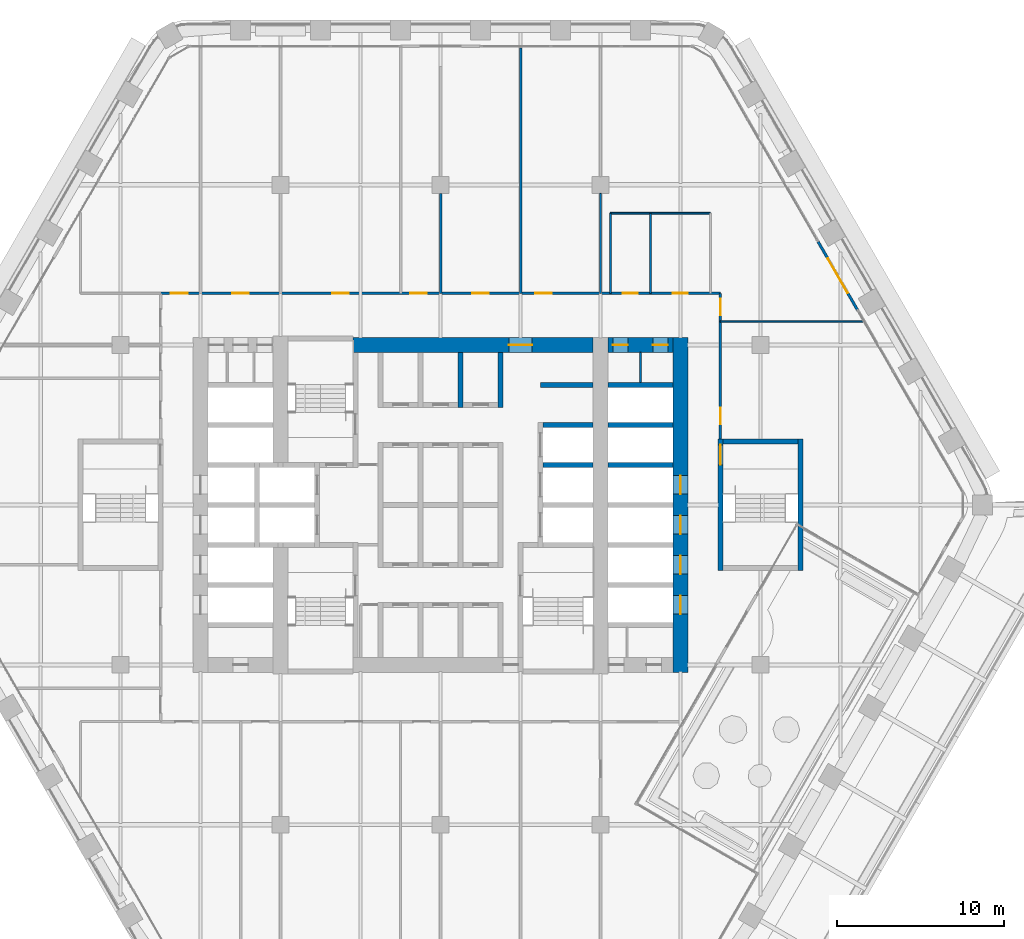
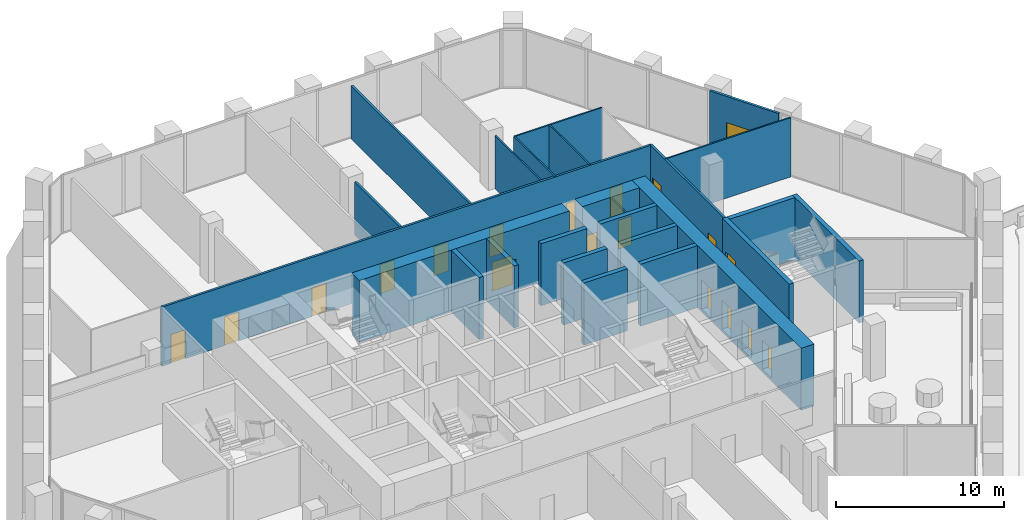
# One storey, part 17 of 25: 25 walls, 19 doors, 19 openings.
"""IFC4 building model written with IfcOpenShell, lengths in metres."""

from ifc_helpers import new_model, si_unit, direction, frame, frame_2d, origin, place, context, subcontext, project, spatial, rectangle, extrude, material, layer, layer_set, type_object, element, fill, save


model = new_model("IFC4")

# Units and contexts
model_context = context("Model", 3, precision=1e-05, world=origin(), true_north=direction((0.0, 1.0)))
body_context = subcontext(model_context, "Body", "Model", "MODEL_VIEW")
ifc_project = project(units=[si_unit("LENGTHUNIT", "METRE"), si_unit("AREAUNIT", "SQUARE_METRE"), si_unit("VOLUMEUNIT", "CUBIC_METRE"), si_unit("PLANEANGLEUNIT", "RADIAN"), si_unit("MASSUNIT", "GRAM", prefix="KILO")], contexts=[model_context])

# Site, building, storey
site_placement = place(None, origin())
site = spatial("IfcSite", under=ifc_project, at=site_placement, CompositionType="ELEMENT")
building_placement = place(site_placement, origin())
building = spatial("IfcBuilding", under=site, at=building_placement, Name="Kolab Exchange Tower", CompositionType="ELEMENT")
storey_placement = place(building_placement, frame((0.0, 0.0, 91.39990234375)))
storey = spatial("IfcBuildingStorey", under=building, at=storey_placement, Name="L17", CompositionType="ELEMENT", Elevation=91.39990234375)

# Wall, opening, door
ifc_material_1 = material(Name="Concrete C70/85", Category="concrete")
ifc_layer_1 = layer(ifc_material_1, 0.89990234375)
ifc_layer_set_1 = layer_set([ifc_layer_1], Name="Concrete C70/85")
wall_type_1 = type_object("IfcWallType", Name="CORE WALL 900 C70/85", PredefinedType="SHEAR", material=ifc_layer_set_1)
wall_1_placement = place(storey_placement, frame((-5.25, 9.60009765625, -0.199951171875), z_axis=(0.0, 0.0, 1.0), x_axis=(1.0, 0.0, 0.0)))
wall_1 = element("IfcWall", 1, at=wall_1_placement, inside=storey, type_object=wall_type_1, Name="wall/L17/core/052", PredefinedType="SHEAR", context=body_context, shape_type="SweptSolid", body=[
    extrude(rectangle(XDim=14.39990234375, YDim=0.89990234375, at=frame_2d((7.199951171875, 0.0))), origin(), (0.0, 0.0, 1.0), 4.5),
])
opening_1_placement = place(wall_1_placement, frame((9.35009765625, 0.0, 0.199951171875)))
opening_1 = element("IfcOpeningElement", 2, at=opening_1_placement, cuts=wall_1, Name="Opening D5-008", PredefinedType="OPENING", context=body_context, shape_type="SweptSolid", body=[
    extrude(rectangle(XDim=1.39990234375, YDim=2.10009765625, at=frame_2d((0.699951171875, 1.050048828125))), frame((0.0, 0.4599609375, 0.0), z_axis=(0.0, -1.0, 0.0), x_axis=(1.0, 0.0, 0.0)), (0.0, 0.0, 1.0), 0.919921875),
])
ifc_material_2 = material(Name="Steel S235", Category="steel")
door_type_1 = type_object("IfcDoorType", Name="CORE DOOR 1400 EI 120", OperationType="DOUBLE_DOOR_SINGLE_SWING", PredefinedType="DOOR", material=ifc_material_2)
door_1_placement = place(opening_1_placement, frame((1.39990234375, 0.0, 0.0), z_axis=(0.0, 0.0, 1.0), x_axis=(-1.0, 0.0, 0.0)))
door_1 = element("IfcDoor", 3, at=door_1_placement, inside=storey, type_object=door_type_1, Name="Core lobby door", OperationType="SINGLE_SWING_LEFT", OverallHeight=2.10009765625, OverallWidth=1.39990234375, PredefinedType="DOOR", context=body_context, shape_type="SweptSolid", body=[
    extrude(rectangle(XDim=1.39990234375, YDim=2.10009765625, at=frame_2d((0.699951171875, 1.050048828125))), frame((0.0, 0.02490234375, 0.0), z_axis=(0.0, -1.0, 0.0), x_axis=(1.0, 0.0, 0.0)), (0.0, 0.0, 1.0), 0.050048828125),
])
fill(opening_1, door_1)

# Wall, openings, doors
wall_2_placement = place(storey_placement, frame((10.050048828125, 9.60009765625, -0.199951171875), z_axis=(0.0, 0.0, 1.0), x_axis=(1.0, 0.0, 0.0)))
wall_2 = element("IfcWall", 4, at=wall_2_placement, inside=storey, type_object=wall_type_1, Name="wall/L17/core/053", PredefinedType="SHEAR", context=body_context, shape_type="SweptSolid", body=[
    extrude(rectangle(XDim=3.89990234375, YDim=0.89990234375, at=frame_2d((1.949951171875, 0.0))), origin(), (0.0, 0.0, 1.0), 4.5),
])
opening_2_placement = place(wall_2_placement, frame((0.300048828125, 0.0, 0.199951171875)))
opening_2 = element("IfcOpeningElement", 5, at=opening_2_placement, cuts=wall_2, Name="Opening D6-222", PredefinedType="OPENING", context=body_context, shape_type="SweptSolid", body=[
    extrude(rectangle(XDim=0.89990234375, YDim=2.10009765625, at=frame_2d((0.449951171875, 1.050048828125))), frame((0.0, 0.4599609375, 0.0), z_axis=(0.0, -1.0, 0.0), x_axis=(1.0, 0.0, 0.0)), (0.0, 0.0, 1.0), 0.919921875),
])
opening_3_placement = place(wall_2_placement, frame((2.699951171875, 0.0, 0.199951171875)))
opening_3 = element("IfcOpeningElement", 6, at=opening_3_placement, cuts=wall_2, Name="Opening D6-223", PredefinedType="OPENING", context=body_context, shape_type="SweptSolid", body=[
    extrude(rectangle(XDim=0.89990234375, YDim=2.10009765625, at=frame_2d((0.449951171875, 1.050048828125))), frame((0.0, 0.4599609375, 0.0), z_axis=(0.0, -1.0, 0.0), x_axis=(1.0, 0.0, 0.0)), (0.0, 0.0, 1.0), 0.919921875),
])
door_type_2 = type_object("IfcDoorType", Name="CORE DOOR 900 EI 120", OperationType="SINGLE_SWING_LEFT", PredefinedType="DOOR", material=ifc_material_2)
door_2_placement = place(opening_2_placement, frame((0.89990234375, 0.0, 0.0), z_axis=(0.0, 0.0, 1.0), x_axis=(-1.0, 0.0, 0.0)))
door_2 = element("IfcDoor", 7, at=door_2_placement, inside=storey, type_object=door_type_2, Name="Service room door", OperationType="SINGLE_SWING_RIGHT", OverallHeight=2.10009765625, OverallWidth=0.89990234375, PredefinedType="DOOR", context=body_context, shape_type="SweptSolid", body=[
    extrude(rectangle(XDim=0.89990234375, YDim=2.10009765625, at=frame_2d((0.449951171875, 1.050048828125))), frame((0.0, 0.02490234375, 0.0), z_axis=(0.0, -1.0, 0.0), x_axis=(1.0, 0.0, 0.0)), (0.0, 0.0, 1.0), 0.050048828125),
])
fill(opening_2, door_2)
door_3_placement = place(opening_3_placement, frame((0.89990234375, 0.0, 0.0), z_axis=(0.0, 0.0, 1.0), x_axis=(-1.0, 0.0, 0.0)))
door_3 = element("IfcDoor", 8, at=door_3_placement, inside=storey, type_object=door_type_2, Name="Service room door", OperationType="SINGLE_SWING_RIGHT", OverallHeight=2.10009765625, OverallWidth=0.89990234375, PredefinedType="DOOR", context=body_context, shape_type="SweptSolid", body=[
    extrude(rectangle(XDim=0.89990234375, YDim=2.10009765625, at=frame_2d((0.449951171875, 1.050048828125))), frame((0.0, 0.02490234375, 0.0), z_axis=(0.0, -1.0, 0.0), x_axis=(1.0, 0.0, 0.0)), (0.0, 0.0, 1.0), 0.050048828125),
])
fill(opening_3, door_3)

wall_3_placement = place(storey_placement, frame((14.39990234375, -10.050048828125, -0.199951171875), z_axis=(0.0, 0.0, 1.0), x_axis=(0.0, 1.0, 0.0)))
wall_3 = element("IfcWall", 9, at=wall_3_placement, inside=storey, type_object=wall_type_1, Name="wall/L17/core/081", PredefinedType="SHEAR", context=body_context, shape_type="SweptSolid", body=[
    extrude(rectangle(XDim=20.10009765625, YDim=0.89990234375, at=frame_2d((10.050048828125, 0.0))), origin(), (0.0, 0.0, 1.0), 4.5),
])
opening_4_placement = place(wall_3_placement, frame((3.5, 0.0, 0.199951171875)))
opening_4 = element("IfcOpeningElement", 10, at=opening_4_placement, cuts=wall_3, Name="Opening LD1-069", PredefinedType="OPENING", context=body_context, shape_type="SweptSolid", body=[
    extrude(rectangle(XDim=1.10009765625, YDim=2.10009765625, at=frame_2d((0.550048828125, 1.050048828125))), frame((0.0, 0.4599609375, 0.0), z_axis=(0.0, -1.0, 0.0), x_axis=(1.0, 0.0, 0.0)), (0.0, 0.0, 1.0), 0.919921875),
])
opening_5_placement = place(wall_3_placement, frame((5.89990234375, 0.0, 0.199951171875)))
opening_5 = element("IfcOpeningElement", 11, at=opening_5_placement, cuts=wall_3, Name="Opening LD1-070", PredefinedType="OPENING", context=body_context, shape_type="SweptSolid", body=[
    extrude(rectangle(XDim=1.10009765625, YDim=2.10009765625, at=frame_2d((0.550048828125, 1.050048828125))), frame((0.0, 0.4599609375, 0.0), z_axis=(0.0, -1.0, 0.0), x_axis=(1.0, 0.0, 0.0)), (0.0, 0.0, 1.0), 0.919921875),
])
opening_6_placement = place(wall_3_placement, frame((8.300048828125, 0.0, 0.199951171875)))
opening_6 = element("IfcOpeningElement", 12, at=opening_6_placement, cuts=wall_3, Name="Opening LD1-071", PredefinedType="OPENING", context=body_context, shape_type="SweptSolid", body=[
    extrude(rectangle(XDim=1.10009765625, YDim=2.10009765625, at=frame_2d((0.550048828125, 1.050048828125))), frame((0.0, 0.4599609375, 0.0), z_axis=(0.0, -1.0, 0.0), x_axis=(1.0, 0.0, 0.0)), (0.0, 0.0, 1.0), 0.919921875),
])
opening_7_placement = place(wall_3_placement, frame((10.699951171875, 0.0, 0.199951171875)))
opening_7 = element("IfcOpeningElement", 13, at=opening_7_placement, cuts=wall_3, Name="Opening LD1-072", PredefinedType="OPENING", context=body_context, shape_type="SweptSolid", body=[
    extrude(rectangle(XDim=1.10009765625, YDim=2.10009765625, at=frame_2d((0.550048828125, 1.050048828125))), frame((0.0, 0.4599609375, 0.0), z_axis=(0.0, -1.0, 0.0), x_axis=(1.0, 0.0, 0.0)), (0.0, 0.0, 1.0), 0.919921875),
])
ifc_material_3 = material(Name="Stainless steel 316", Category="steel")
door_type_3 = type_object("IfcDoorType", Name="LANDING DOOR 1100 PASSENGER", OperationType="DOUBLE_DOOR_SLIDING", PredefinedType="DOOR", material=ifc_material_3)
door_4_placement = place(opening_4_placement, origin())
door_4 = element("IfcDoor", 14, at=door_4_placement, inside=storey, type_object=door_type_3, Name="Landing door LR1", OperationType="DOUBLE_DOOR_SLIDING", OverallHeight=2.10009765625, OverallWidth=1.10009765625, PredefinedType="DOOR", context=body_context, shape_type="SweptSolid", body=[
    extrude(rectangle(XDim=1.10009765625, YDim=2.10009765625, at=frame_2d((0.550048828125, 1.050048828125))), frame((0.0, 0.02490234375, 0.0), z_axis=(0.0, -1.0, 0.0), x_axis=(1.0, 0.0, 0.0)), (0.0, 0.0, 1.0), 0.050048828125),
])
fill(opening_4, door_4)
door_5_placement = place(opening_5_placement, origin())
door_5 = element("IfcDoor", 15, at=door_5_placement, inside=storey, type_object=door_type_3, Name="Landing door LR2", OperationType="DOUBLE_DOOR_SLIDING", OverallHeight=2.10009765625, OverallWidth=1.10009765625, PredefinedType="DOOR", context=body_context, shape_type="SweptSolid", body=[
    extrude(rectangle(XDim=1.10009765625, YDim=2.10009765625, at=frame_2d((0.550048828125, 1.050048828125))), frame((0.0, 0.02490234375, 0.0), z_axis=(0.0, -1.0, 0.0), x_axis=(1.0, 0.0, 0.0)), (0.0, 0.0, 1.0), 0.050048828125),
])
fill(opening_5, door_5)
door_6_placement = place(opening_6_placement, origin())
door_6 = element("IfcDoor", 16, at=door_6_placement, inside=storey, type_object=door_type_3, Name="Landing door LR3", OperationType="DOUBLE_DOOR_SLIDING", OverallHeight=2.10009765625, OverallWidth=1.10009765625, PredefinedType="DOOR", context=body_context, shape_type="SweptSolid", body=[
    extrude(rectangle(XDim=1.10009765625, YDim=2.10009765625, at=frame_2d((0.550048828125, 1.050048828125))), frame((0.0, 0.02490234375, 0.0), z_axis=(0.0, -1.0, 0.0), x_axis=(1.0, 0.0, 0.0)), (0.0, 0.0, 1.0), 0.050048828125),
])
fill(opening_6, door_6)
door_7_placement = place(opening_7_placement, origin())
door_7 = element("IfcDoor", 17, at=door_7_placement, inside=storey, type_object=door_type_3, Name="Landing door LR4", OperationType="DOUBLE_DOOR_SLIDING", OverallHeight=2.10009765625, OverallWidth=1.10009765625, PredefinedType="DOOR", context=body_context, shape_type="SweptSolid", body=[
    extrude(rectangle(XDim=1.10009765625, YDim=2.10009765625, at=frame_2d((0.550048828125, 1.050048828125))), frame((0.0, 0.02490234375, 0.0), z_axis=(0.0, -1.0, 0.0), x_axis=(1.0, 0.0, 0.0)), (0.0, 0.0, 1.0), 0.050048828125),
])
fill(opening_7, door_7)

# Wall, opening, door
ifc_material_4 = material(Name="Aluminium EN AW-6063 T6", Category="aluminium")
ifc_layer_2 = layer(ifc_material_4, 0.159912109375)
ifc_layer_set_2 = layer_set([ifc_layer_2], Name="Aluminium EN AW-6063 T6")
wall_type_2 = type_object("IfcWallType", Name="DOOR SURROUND WALL 160 ALUMINIUM FRAMED", PredefinedType="PARTITIONING", material=ifc_layer_set_2)
wall_4_placement = place(storey_placement, frame((22.646728515625, 15.811767578125, 0.0), z_axis=(0.0, 0.0, 1.0), x_axis=(0.499978080042, -0.866038058908, 0.0)))
wall_4 = element("IfcWall", 18, at=wall_4_placement, inside=storey, type_object=wall_type_2, Name="Door surround wall", PredefinedType="PARTITIONING", context=body_context, shape_type="SweptSolid", body=[
    extrude(rectangle(XDim=4.739990234375, YDim=0.159912109375, at=frame_2d((2.3701171875, 0.0))), origin(), (0.0, 0.0, 1.0), 4.300048828125),
])
opening_8_placement = place(wall_4_placement, frame((1.169921875, 0.0, 0.0)))
opening_8 = element("IfcOpeningElement", 19, at=opening_8_placement, cuts=wall_4, Name="Opening GD1-035", PredefinedType="OPENING", context=body_context, shape_type="SweptSolid", body=[
    extrude(rectangle(XDim=2.39990234375, YDim=2.39990234375, at=frame_2d((1.199951171875, 1.199951171875))), frame((0.0, 0.08984375, 0.0), z_axis=(0.0, -1.0, 0.0), x_axis=(1.0, 0.0, 0.0)), (0.0, 0.0, 1.0), 0.179931640625),
])
door_type_4 = type_object("IfcDoorType", Name="LOGGIA SLIDING GLASS DOOR 2400 X 2400", OperationType="DOUBLE_DOOR_SINGLE_SWING", PredefinedType="DOOR", material=ifc_material_4)
door_8_placement = place(opening_8_placement, origin())
door_8 = element("IfcDoor", 20, at=door_8_placement, inside=storey, type_object=door_type_4, Name="Loggia door", OperationType="DOUBLE_DOOR_SLIDING", OverallHeight=2.39990234375, OverallWidth=2.39990234375, PredefinedType="DOOR", context=body_context, shape_type="SweptSolid", body=[
    extrude(rectangle(XDim=2.39990234375, YDim=2.39990234375, at=frame_2d((1.199951171875, 1.199951171875))), frame((0.0, 0.02490234375, 0.0), z_axis=(0.0, -1.0, 0.0), x_axis=(1.0, 0.0, 0.0)), (0.0, 0.0, 1.0), 0.050048828125),
])
fill(opening_8, door_8)

# Walls
ifc_material_5 = material(Name="Concrete C50/60", Category="concrete")
ifc_layer_3 = layer(ifc_material_5, 0.300048828125)
ifc_layer_set_3 = layer_set([ifc_layer_3], Name="Concrete C50/60")
wall_type_3 = type_object("IfcWallType", Name="LIFT SHAFT WALL 300 C50/60", PredefinedType="STANDARD", material=ifc_layer_set_3)
wall_5_placement = place(storey_placement, frame((6.14990234375, 2.39990234375, -0.199951171875), z_axis=(0.0, 0.0, 1.0), x_axis=(1.0, 0.0, 0.0)))
element("IfcWall", 21, at=wall_5_placement, inside=storey, type_object=wall_type_3, Name="wall/L17/core/035", PredefinedType="STANDARD", context=body_context, shape_type="SweptSolid", body=[
    extrude(rectangle(XDim=3.0, YDim=0.300048828125, at=frame_2d((1.5, 0.0))), origin(), (0.0, 0.0, 1.0), 4.5),
])
wall_6_placement = place(storey_placement, frame((10.050048828125, 2.39990234375, -0.199951171875), z_axis=(0.0, 0.0, 1.0), x_axis=(1.0, 0.0, 0.0)))
element("IfcWall", 22, at=wall_6_placement, inside=storey, type_object=wall_type_3, Name="wall/L17/core/036", PredefinedType="STANDARD", context=body_context, shape_type="SweptSolid", body=[
    extrude(rectangle(XDim=3.89990234375, YDim=0.300048828125, at=frame_2d((1.949951171875, 0.0))), origin(), (0.0, 0.0, 1.0), 4.5),
])
wall_7_placement = place(storey_placement, frame((6.14990234375, 4.800048828125, -0.199951171875), z_axis=(0.0, 0.0, 1.0), x_axis=(1.0, 0.0, 0.0)))
element("IfcWall", 23, at=wall_7_placement, inside=storey, type_object=wall_type_3, Name="wall/L17/core/043", PredefinedType="STANDARD", context=body_context, shape_type="SweptSolid", body=[
    extrude(rectangle(XDim=3.0, YDim=0.300048828125, at=frame_2d((1.5, 0.0))), origin(), (0.0, 0.0, 1.0), 4.5),
])
wall_8_placement = place(storey_placement, frame((10.050048828125, 4.800048828125, -0.199951171875), z_axis=(0.0, 0.0, 1.0), x_axis=(1.0, 0.0, 0.0)))
element("IfcWall", 24, at=wall_8_placement, inside=storey, type_object=wall_type_3, Name="wall/L17/core/044", PredefinedType="STANDARD", context=body_context, shape_type="SweptSolid", body=[
    extrude(rectangle(XDim=3.89990234375, YDim=0.300048828125, at=frame_2d((1.949951171875, 0.0))), origin(), (0.0, 0.0, 1.0), 4.5),
])
wall_9_placement = place(storey_placement, frame((6.0, 7.199951171875, -0.199951171875), z_axis=(0.0, 0.0, 1.0), x_axis=(1.0, 0.0, 0.0)))
element("IfcWall", 25, at=wall_9_placement, inside=storey, type_object=wall_type_3, Name="wall/L17/core/049", PredefinedType="STANDARD", context=body_context, shape_type="SweptSolid", body=[
    extrude(rectangle(XDim=3.14990234375, YDim=0.300048828125, at=frame_2d((1.574951171875, 0.0))), origin(), (0.0, 0.0, 1.0), 4.5),
])
wall_10_placement = place(storey_placement, frame((10.050048828125, 7.199951171875, -0.199951171875), z_axis=(0.0, 0.0, 1.0), x_axis=(1.0, 0.0, 0.0)))
element("IfcWall", 26, at=wall_10_placement, inside=storey, type_object=wall_type_3, Name="wall/L17/core/050", PredefinedType="STANDARD", context=body_context, shape_type="SweptSolid", body=[
    extrude(rectangle(XDim=3.89990234375, YDim=0.300048828125, at=frame_2d((1.949951171875, 0.0))), origin(), (0.0, 0.0, 1.0), 4.5),
])
for number, where, z_axis, x_axis, name in (
    (27, (1.199951171875, 5.85009765625, -0.199951171875), (0.0, 0.0, 1.0), (0.0, 1.0, 0.0), "wall/L17/core/074"),
    (28, (3.60009765625, 5.85009765625, -0.199951171875), (0.0, 0.0, 1.0), (0.0, 1.0, 0.0), "wall/L17/core/077"),
):
    element("IfcWall", number, at=place(storey_placement, frame(where, z_axis=z_axis, x_axis=x_axis)), inside=storey, type_object=wall_type_3, Name=name, PredefinedType="STANDARD", context=body_context, shape_type="SweptSolid", body=[
        extrude(rectangle(XDim=3.2998046875, YDim=0.300048828125, at=frame_2d((1.64990234375, 0.0))), origin(), (0.0, 0.0, 1.0), 4.5),
    ])
ifc_material_6 = material(Name="Gypsum board", Category="gypsum")
ifc_layer_4 = layer(ifc_material_6, 0.10009765625)
ifc_layer_set_4 = layer_set([ifc_layer_4], Name="Gypsum board")
wall_type_4 = type_object("IfcWallType", Name="PARTITION 100", PredefinedType="PARTITIONING", material=ifc_layer_set_4)
wall_11_placement = place(storey_placement, frame((12.60009765625, 12.699951171875, 0.0), z_axis=(0.0, 0.0, 1.0), x_axis=(0.0, 1.0, 0.0)))
element("IfcWall", 29, at=wall_11_placement, inside=storey, type_object=wall_type_4, Name="Partition 002", PredefinedType="PARTITIONING", context=body_context, shape_type="SweptSolid", body=[
    extrude(rectangle(XDim=4.800048828125, YDim=0.10009765625, at=frame_2d((2.39990234375, 0.0))), origin(), (0.0, 0.0, 1.0), 4.300048828125),
])
wall_12_placement = place(storey_placement, frame((12.0, 7.35009765625, 0.0), z_axis=(0.0, 0.0, 1.0), x_axis=(0.0, 1.0, 0.0)))
element("IfcWall", 30, at=wall_12_placement, inside=storey, type_object=wall_type_4, Name="Partition 003", PredefinedType="PARTITIONING", context=body_context, shape_type="SweptSolid", body=[
    extrude(rectangle(XDim=1.7998046875, YDim=0.10009765625, at=frame_2d((0.89990234375, 0.0))), origin(), (0.0, 0.0, 1.0), 4.300048828125),
])
wall_13_placement = place(storey_placement, frame((10.199951171875, 12.699951171875, 0.0), z_axis=(0.0, 0.0, 1.0), x_axis=(0.0, 1.0, 0.0)))
element("IfcWall", 31, at=wall_13_placement, inside=storey, type_object=wall_type_4, Name="Partition 005", PredefinedType="PARTITIONING", context=body_context, shape_type="SweptSolid", body=[
    extrude(rectangle(XDim=4.800048828125, YDim=0.10009765625, at=frame_2d((2.39990234375, 0.0))), origin(), (0.0, 0.0, 1.0), 4.300048828125),
])
wall_14_placement = place(storey_placement, frame((9.60009765625, 12.699951171875, 0.0), z_axis=(0.0, 0.0, 1.0), x_axis=(0.0, 1.0, 0.0)))
element("IfcWall", 32, at=wall_14_placement, inside=storey, type_object=wall_type_4, Name="Partition 006", PredefinedType="PARTITIONING", context=body_context, shape_type="SweptSolid", body=[
    extrude(rectangle(XDim=6.0, YDim=0.10009765625, at=frame_2d((3.0, 0.0))), origin(), (0.0, 0.0, 1.0), 3.843017578125),
])
wall_15_placement = place(storey_placement, frame((16.800048828125, 11.0, 0.0), z_axis=(0.0, 0.0, 1.0), x_axis=(1.0, 0.0, 0.0)))
element("IfcWall", 33, at=wall_15_placement, inside=storey, type_object=wall_type_4, Name="Partition 039", PredefinedType="PARTITIONING", context=body_context, shape_type="SweptSolid", body=[
    extrude(rectangle(XDim=8.578369140625, YDim=0.10009765625, at=frame_2d((4.2890625, 0.0))), origin(), (0.0, 0.0, 1.0), 4.300048828125),
])
wall_16_placement = place(storey_placement, frame((10.199951171875, 17.5, 0.0), z_axis=(0.0, 0.0, 1.0), x_axis=(1.0, 0.0, 0.0)))
element("IfcWall", 34, at=wall_16_placement, inside=storey, type_object=wall_type_4, Name="Partition 042", PredefinedType="PARTITIONING", context=body_context, shape_type="SweptSolid", body=[
    extrude(rectangle(XDim=6.0, YDim=0.10009765625, at=frame_2d((3.0, 0.0))), origin(), (0.0, 0.0, 1.0), 4.300048828125),
])

# Wall, openings, doors
ifc_layer_5 = layer(ifc_material_6, 0.14990234375)
ifc_layer_set_5 = layer_set([ifc_layer_5], Name="Gypsum board")
wall_type_5 = type_object("IfcWallType", Name="PARTITION 150 FIRE-RATED", PredefinedType="PARTITIONING", material=ifc_layer_set_5)
wall_17_placement = place(storey_placement, frame((16.800048828125, 3.949951171875, 0.0), z_axis=(0.0, 0.0, 1.0), x_axis=(0.0, 1.0, 0.0)))
wall_17 = element("IfcWall", 35, at=wall_17_placement, inside=storey, type_object=wall_type_5, Name="Partition 000", PredefinedType="PARTITIONING", context=body_context, shape_type="SweptSolid", body=[
    extrude(rectangle(XDim=8.75, YDim=0.14990234375, at=frame_2d((4.375, 0.0))), origin(), (0.0, 0.0, 1.0), 4.300048828125),
])
opening_9_placement = place(wall_17_placement, frame((7.425048828125, 0.0, 0.0)))
opening_9 = element("IfcOpeningElement", 36, at=opening_9_placement, cuts=wall_17, Name="Opening D1-243", PredefinedType="OPENING", context=body_context, shape_type="SweptSolid", body=[
    extrude(rectangle(XDim=1.0, YDim=2.10009765625, at=frame_2d((0.5, 1.050048828125))), frame((0.0, 0.0849609375, 0.0), z_axis=(0.0, -1.0, 0.0), x_axis=(1.0, 0.0, 0.0)), (0.0, 0.0, 1.0), 0.169921875),
])
opening_10_placement = place(wall_17_placement, frame((0.885009765625, 0.0, 0.0)))
opening_10 = element("IfcOpeningElement", 37, at=opening_10_placement, cuts=wall_17, Name="Opening D1-251", PredefinedType="OPENING", context=body_context, shape_type="SweptSolid", body=[
    extrude(rectangle(XDim=1.0, YDim=2.10009765625, at=frame_2d((0.5, 1.050048828125))), frame((0.0, 0.0849609375, 0.0), z_axis=(0.0, -1.0, 0.0), x_axis=(1.0, 0.0, 0.0)), (0.0, 0.0, 1.0), 0.169921875),
])
door_type_5 = type_object("IfcDoorType", Name="FLUSH DOOR 1000 FD60", OperationType="SINGLE_SWING_LEFT", PredefinedType="DOOR", material=ifc_material_2)
door_9_placement = place(opening_9_placement, frame((1.0, 0.0, 0.0), z_axis=(0.0, 0.0, 1.0), x_axis=(-1.0, 0.0, 0.0)))
door_9 = element("IfcDoor", 38, at=door_9_placement, inside=storey, type_object=door_type_5, Name="Door L17-054", OperationType="SINGLE_SWING_LEFT", OverallHeight=2.10009765625, OverallWidth=1.0, PredefinedType="DOOR", context=body_context, shape_type="SweptSolid", body=[
    extrude(rectangle(XDim=1.0, YDim=2.10009765625, at=frame_2d((0.5, 1.050048828125))), frame((0.0, 0.02490234375, 0.0), z_axis=(0.0, -1.0, 0.0), x_axis=(1.0, 0.0, 0.0)), (0.0, 0.0, 1.0), 0.050048828125),
])
fill(opening_9, door_9)
door_10_placement = place(opening_10_placement, frame((1.0, 0.0, 0.0), z_axis=(0.0, 0.0, 1.0), x_axis=(-1.0, 0.0, 0.0)))
door_10 = element("IfcDoor", 39, at=door_10_placement, inside=storey, type_object=door_type_5, Name="Door L17-062", OperationType="SINGLE_SWING_LEFT", OverallHeight=2.10009765625, OverallWidth=1.0, PredefinedType="DOOR", context=body_context, shape_type="SweptSolid", body=[
    extrude(rectangle(XDim=1.0, YDim=2.10009765625, at=frame_2d((0.5, 1.050048828125))), frame((0.0, 0.02490234375, 0.0), z_axis=(0.0, -1.0, 0.0), x_axis=(1.0, 0.0, 0.0)), (0.0, 0.0, 1.0), 0.050048828125),
])
fill(opening_10, door_10)

# Walls
wall_18_placement = place(storey_placement, frame((4.800048828125, 12.699951171875, 0.0), z_axis=(0.0, 0.0, 1.0), x_axis=(0.0, 1.0, 0.0)))
element("IfcWall", 40, at=wall_18_placement, inside=storey, type_object=wall_type_5, Name="Partition 011", PredefinedType="PARTITIONING", context=body_context, shape_type="SweptSolid", body=[
    extrude(rectangle(XDim=14.728515625, YDim=0.14990234375, at=frame_2d((7.3642578125, 0.0))), origin(), (0.0, 0.0, 1.0), 3.843017578125),
])
wall_19_placement = place(storey_placement, frame((0.0, 12.699951171875, 0.0), z_axis=(0.0, 0.0, 1.0), x_axis=(0.0, 1.0, 0.0)))
element("IfcWall", 41, at=wall_19_placement, inside=storey, type_object=wall_type_5, Name="Partition 014", PredefinedType="PARTITIONING", context=body_context, shape_type="SweptSolid", body=[
    extrude(rectangle(XDim=6.0, YDim=0.14990234375, at=frame_2d((3.0, 0.0))), origin(), (0.0, 0.0, 1.0), 3.843017578125),
])

# Wall, openings, doors
wall_20_placement = place(storey_placement, frame((-16.800048828125, 12.699951171875, 0.0), z_axis=(0.0, 0.0, 1.0), x_axis=(1.0, 0.0, 0.0)))
wall_20 = element("IfcWall", 42, at=wall_20_placement, inside=storey, type_object=wall_type_5, Name="Partition 041", PredefinedType="PARTITIONING", context=body_context, shape_type="SweptSolid", body=[
    extrude(rectangle(XDim=33.60009765625, YDim=0.14990234375, at=frame_2d((16.800048828125, 0.0))), origin(), (0.0, 0.0, 1.0), 4.300048828125),
])
opening_11_placement = place(wall_20_placement, frame((0.625, 0.0, 0.0)))
opening_11 = element("IfcOpeningElement", 43, at=opening_11_placement, cuts=wall_20, Name="Opening D1-237", PredefinedType="OPENING", context=body_context, shape_type="SweptSolid", body=[
    extrude(rectangle(XDim=1.0, YDim=2.10009765625, at=frame_2d((0.5, 1.050048828125))), frame((0.0, 0.0849609375, 0.0), z_axis=(0.0, -1.0, 0.0), x_axis=(1.0, 0.0, 0.0)), (0.0, 0.0, 1.0), 0.169921875),
])
opening_12_placement = place(wall_20_placement, frame((4.300048828125, 0.0, 0.0)))
opening_12 = element("IfcOpeningElement", 44, at=opening_12_placement, cuts=wall_20, Name="Opening D1-238", PredefinedType="OPENING", context=body_context, shape_type="SweptSolid", body=[
    extrude(rectangle(XDim=1.0, YDim=2.10009765625, at=frame_2d((0.5, 1.050048828125))), frame((0.0, 0.0849609375, 0.0), z_axis=(0.0, -1.0, 0.0), x_axis=(1.0, 0.0, 0.0)), (0.0, 0.0, 1.0), 0.169921875),
])
opening_13_placement = place(wall_20_placement, frame((10.300048828125, 0.0, 0.0)))
opening_13 = element("IfcOpeningElement", 45, at=opening_13_placement, cuts=wall_20, Name="Opening D1-239", PredefinedType="OPENING", context=body_context, shape_type="SweptSolid", body=[
    extrude(rectangle(XDim=1.0, YDim=2.10009765625, at=frame_2d((0.5, 1.050048828125))), frame((0.0, 0.0849609375, 0.0), z_axis=(0.0, -1.0, 0.0), x_axis=(1.0, 0.0, 0.0)), (0.0, 0.0, 1.0), 0.169921875),
])
opening_14_placement = place(wall_20_placement, frame((14.97509765625, 0.0, 0.0)))
opening_14 = element("IfcOpeningElement", 46, at=opening_14_placement, cuts=wall_20, Name="Opening D1-240", PredefinedType="OPENING", context=body_context, shape_type="SweptSolid", body=[
    extrude(rectangle(XDim=1.0, YDim=2.10009765625, at=frame_2d((0.5, 1.050048828125))), frame((0.0, 0.0849609375, 0.0), z_axis=(0.0, -1.0, 0.0), x_axis=(1.0, 0.0, 0.0)), (0.0, 0.0, 1.0), 0.169921875),
])
opening_15_placement = place(wall_20_placement, frame((18.699951171875, 0.0, 0.0)))
opening_15 = element("IfcOpeningElement", 47, at=opening_15_placement, cuts=wall_20, Name="Opening D1-241", PredefinedType="OPENING", context=body_context, shape_type="SweptSolid", body=[
    extrude(rectangle(XDim=1.0, YDim=2.10009765625, at=frame_2d((0.5, 1.050048828125))), frame((0.0, 0.0849609375, 0.0), z_axis=(0.0, -1.0, 0.0), x_axis=(1.0, 0.0, 0.0)), (0.0, 0.0, 1.0), 0.169921875),
])
opening_16_placement = place(wall_20_placement, frame((22.485107421875, 0.0, 0.0)))
opening_16 = element("IfcOpeningElement", 48, at=opening_16_placement, cuts=wall_20, Name="Opening D1-242", PredefinedType="OPENING", context=body_context, shape_type="SweptSolid", body=[
    extrude(rectangle(XDim=1.0, YDim=2.10009765625, at=frame_2d((0.5, 1.050048828125))), frame((0.0, 0.0849609375, 0.0), z_axis=(0.0, -1.0, 0.0), x_axis=(1.0, 0.0, 0.0)), (0.0, 0.0, 1.0), 0.169921875),
])
opening_17_placement = place(wall_20_placement, frame((30.75, 0.0, 0.0)))
opening_17 = element("IfcOpeningElement", 49, at=opening_17_placement, cuts=wall_20, Name="Opening D3-023", PredefinedType="OPENING", context=body_context, shape_type="SweptSolid", body=[
    extrude(rectangle(XDim=0.89990234375, YDim=2.10009765625, at=frame_2d((0.449951171875, 1.050048828125))), frame((0.0, 0.0849609375, 0.0), z_axis=(0.0, -1.0, 0.0), x_axis=(1.0, 0.0, 0.0)), (0.0, 0.0, 1.0), 0.169921875),
])
opening_18_placement = place(wall_20_placement, frame((27.75, 0.0, 0.0)))
opening_18 = element("IfcOpeningElement", 50, at=opening_18_placement, cuts=wall_20, Name="Opening D3-024", PredefinedType="OPENING", context=body_context, shape_type="SweptSolid", body=[
    extrude(rectangle(XDim=0.89990234375, YDim=2.10009765625, at=frame_2d((0.449951171875, 1.050048828125))), frame((0.0, 0.0849609375, 0.0), z_axis=(0.0, -1.0, 0.0), x_axis=(1.0, 0.0, 0.0)), (0.0, 0.0, 1.0), 0.169921875),
])
door_11_placement = place(opening_11_placement, origin())
door_11 = element("IfcDoor", 51, at=door_11_placement, inside=storey, type_object=door_type_5, Name="Door L17-048", OperationType="SINGLE_SWING_RIGHT", OverallHeight=2.10009765625, OverallWidth=1.0, PredefinedType="DOOR", context=body_context, shape_type="SweptSolid", body=[
    extrude(rectangle(XDim=1.0, YDim=2.10009765625, at=frame_2d((0.5, 1.050048828125))), frame((0.0, 0.02490234375, 0.0), z_axis=(0.0, -1.0, 0.0), x_axis=(1.0, 0.0, 0.0)), (0.0, 0.0, 1.0), 0.050048828125),
])
fill(opening_11, door_11)
door_12_placement = place(opening_12_placement, origin())
door_12 = element("IfcDoor", 52, at=door_12_placement, inside=storey, type_object=door_type_5, Name="Door L17-049", OperationType="SINGLE_SWING_LEFT", OverallHeight=2.10009765625, OverallWidth=1.0, PredefinedType="DOOR", context=body_context, shape_type="SweptSolid", body=[
    extrude(rectangle(XDim=1.0, YDim=2.10009765625, at=frame_2d((0.5, 1.050048828125))), frame((0.0, 0.02490234375, 0.0), z_axis=(0.0, -1.0, 0.0), x_axis=(1.0, 0.0, 0.0)), (0.0, 0.0, 1.0), 0.050048828125),
])
fill(opening_12, door_12)
door_13_placement = place(opening_13_placement, origin())
door_13 = element("IfcDoor", 53, at=door_13_placement, inside=storey, type_object=door_type_5, Name="Door L17-050", OperationType="SINGLE_SWING_LEFT", OverallHeight=2.10009765625, OverallWidth=1.0, PredefinedType="DOOR", context=body_context, shape_type="SweptSolid", body=[
    extrude(rectangle(XDim=1.0, YDim=2.10009765625, at=frame_2d((0.5, 1.050048828125))), frame((0.0, 0.02490234375, 0.0), z_axis=(0.0, -1.0, 0.0), x_axis=(1.0, 0.0, 0.0)), (0.0, 0.0, 1.0), 0.050048828125),
])
fill(opening_13, door_13)
door_14_placement = place(opening_14_placement, origin())
door_14 = element("IfcDoor", 54, at=door_14_placement, inside=storey, type_object=door_type_5, Name="Door L17-051", OperationType="SINGLE_SWING_LEFT", OverallHeight=2.10009765625, OverallWidth=1.0, PredefinedType="DOOR", context=body_context, shape_type="SweptSolid", body=[
    extrude(rectangle(XDim=1.0, YDim=2.10009765625, at=frame_2d((0.5, 1.050048828125))), frame((0.0, 0.02490234375, 0.0), z_axis=(0.0, -1.0, 0.0), x_axis=(1.0, 0.0, 0.0)), (0.0, 0.0, 1.0), 0.050048828125),
])
fill(opening_14, door_14)
door_15_placement = place(opening_15_placement, origin())
door_15 = element("IfcDoor", 55, at=door_15_placement, inside=storey, type_object=door_type_5, Name="Door L17-052", OperationType="SINGLE_SWING_LEFT", OverallHeight=2.10009765625, OverallWidth=1.0, PredefinedType="DOOR", context=body_context, shape_type="SweptSolid", body=[
    extrude(rectangle(XDim=1.0, YDim=2.10009765625, at=frame_2d((0.5, 1.050048828125))), frame((0.0, 0.02490234375, 0.0), z_axis=(0.0, -1.0, 0.0), x_axis=(1.0, 0.0, 0.0)), (0.0, 0.0, 1.0), 0.050048828125),
])
fill(opening_15, door_15)
door_16_placement = place(opening_16_placement, origin())
door_16 = element("IfcDoor", 56, at=door_16_placement, inside=storey, type_object=door_type_5, Name="Door L17-053", OperationType="SINGLE_SWING_LEFT", OverallHeight=2.10009765625, OverallWidth=1.0, PredefinedType="DOOR", context=body_context, shape_type="SweptSolid", body=[
    extrude(rectangle(XDim=1.0, YDim=2.10009765625, at=frame_2d((0.5, 1.050048828125))), frame((0.0, 0.02490234375, 0.0), z_axis=(0.0, -1.0, 0.0), x_axis=(1.0, 0.0, 0.0)), (0.0, 0.0, 1.0), 0.050048828125),
])
fill(opening_16, door_16)
door_type_6 = type_object("IfcDoorType", Name="FLUSH DOOR 900 FD60", OperationType="SINGLE_SWING_LEFT", PredefinedType="DOOR", material=ifc_material_2)
door_17_placement = place(opening_17_placement, origin())
door_17 = element("IfcDoor", 57, at=door_17_placement, inside=storey, type_object=door_type_6, Name="Door L17-068", OperationType="SINGLE_SWING_LEFT", OverallHeight=2.10009765625, OverallWidth=0.89990234375, PredefinedType="DOOR", context=body_context, shape_type="SweptSolid", body=[
    extrude(rectangle(XDim=0.89990234375, YDim=2.10009765625, at=frame_2d((0.449951171875, 1.050048828125))), frame((0.0, 0.02490234375, 0.0), z_axis=(0.0, -1.0, 0.0), x_axis=(1.0, 0.0, 0.0)), (0.0, 0.0, 1.0), 0.050048828125),
])
fill(opening_17, door_17)
door_18_placement = place(opening_18_placement, origin())
door_18 = element("IfcDoor", 58, at=door_18_placement, inside=storey, type_object=door_type_6, Name="Door L17-069", OperationType="SINGLE_SWING_LEFT", OverallHeight=2.10009765625, OverallWidth=0.89990234375, PredefinedType="DOOR", context=body_context, shape_type="SweptSolid", body=[
    extrude(rectangle(XDim=0.89990234375, YDim=2.10009765625, at=frame_2d((0.449951171875, 1.050048828125))), frame((0.0, 0.02490234375, 0.0), z_axis=(0.0, -1.0, 0.0), x_axis=(1.0, 0.0, 0.0)), (0.0, 0.0, 1.0), 0.050048828125),
])
fill(opening_18, door_18)

# Wall
ifc_layer_6 = layer(ifc_material_5, 0.300048828125)
ifc_layer_set_6 = layer_set([ifc_layer_6], Name="Concrete C50/60")
wall_type_6 = type_object("IfcWallType", Name="STAIR ENCLOSURE WALL 300 C50/60", PredefinedType="STANDARD", material=ifc_layer_set_6)
wall_21_placement = place(storey_placement, frame((16.949951171875, 3.800048828125, -0.199951171875), z_axis=(0.0, 0.0, 1.0), x_axis=(1.0, 0.0, 0.0)))
element("IfcWall", 59, at=wall_21_placement, inside=storey, type_object=wall_type_6, Name="wall/L17/core/041", PredefinedType="STANDARD", context=body_context, shape_type="SweptSolid", body=[
    extrude(rectangle(XDim=4.5, YDim=0.300048828125, at=frame_2d((2.25, 0.0))), origin(), (0.0, 0.0, 1.0), 4.5),
])

# Wall, opening, door
wall_22_placement = place(storey_placement, frame((16.800048828125, -3.949951171875, -0.199951171875), z_axis=(0.0, 0.0, 1.0), x_axis=(0.0, 1.0, 0.0)))
wall_22 = element("IfcWall", 60, at=wall_22_placement, inside=storey, type_object=wall_type_6, Name="wall/L17/core/082", PredefinedType="STANDARD", context=body_context, shape_type="SweptSolid", body=[
    extrude(rectangle(XDim=7.89990234375, YDim=0.300048828125, at=frame_2d((3.949951171875, 0.0))), origin(), (0.0, 0.0, 1.0), 4.5),
])
opening_19_placement = place(wall_22_placement, frame((6.35009765625, 0.0, 0.199951171875)))
opening_19 = element("IfcOpeningElement", 61, at=opening_19_placement, cuts=wall_22, Name="Opening D4-047", PredefinedType="OPENING", context=body_context, shape_type="SweptSolid", body=[
    extrude(rectangle(XDim=1.199951171875, YDim=2.10009765625, at=frame_2d((0.60009765625, 1.050048828125))), frame((0.0, 0.16015625, 0.0), z_axis=(0.0, -1.0, 0.0), x_axis=(1.0, 0.0, 0.0)), (0.0, 0.0, 1.0), 0.320068359375),
])
door_type_7 = type_object("IfcDoorType", Name="STAIR DOOR 1200 EI 120", OperationType="SINGLE_SWING_LEFT", PredefinedType="DOOR", material=ifc_material_2)
door_19_placement = place(opening_19_placement, frame((1.199951171875, 0.0, 0.0), z_axis=(0.0, 0.0, 1.0), x_axis=(-1.0, 0.0, 0.0)))
door_19 = element("IfcDoor", 62, at=door_19_placement, inside=storey, type_object=door_type_7, Name="Stair 4 door", OperationType="SINGLE_SWING_RIGHT", OverallHeight=2.10009765625, OverallWidth=1.199951171875, PredefinedType="DOOR", context=body_context, shape_type="SweptSolid", body=[
    extrude(rectangle(XDim=1.199951171875, YDim=2.10009765625, at=frame_2d((0.60009765625, 1.050048828125))), frame((0.0, 0.02490234375, 0.0), z_axis=(0.0, -1.0, 0.0), x_axis=(1.0, 0.0, 0.0)), (0.0, 0.0, 1.0), 0.050048828125),
])
fill(opening_19, door_19)

# Wall
wall_23_placement = place(storey_placement, frame((21.60009765625, -3.949951171875, -0.199951171875), z_axis=(0.0, 0.0, 1.0), x_axis=(0.0, 1.0, 0.0)))
element("IfcWall", 63, at=wall_23_placement, inside=storey, type_object=wall_type_6, Name="wall/L17/core/083", PredefinedType="STANDARD", context=body_context, shape_type="SweptSolid", body=[
    extrude(rectangle(XDim=7.89990234375, YDim=0.300048828125, at=frame_2d((3.949951171875, 0.0))), origin(), (0.0, 0.0, 1.0), 4.5),
])

save(model, "model.ifc")
